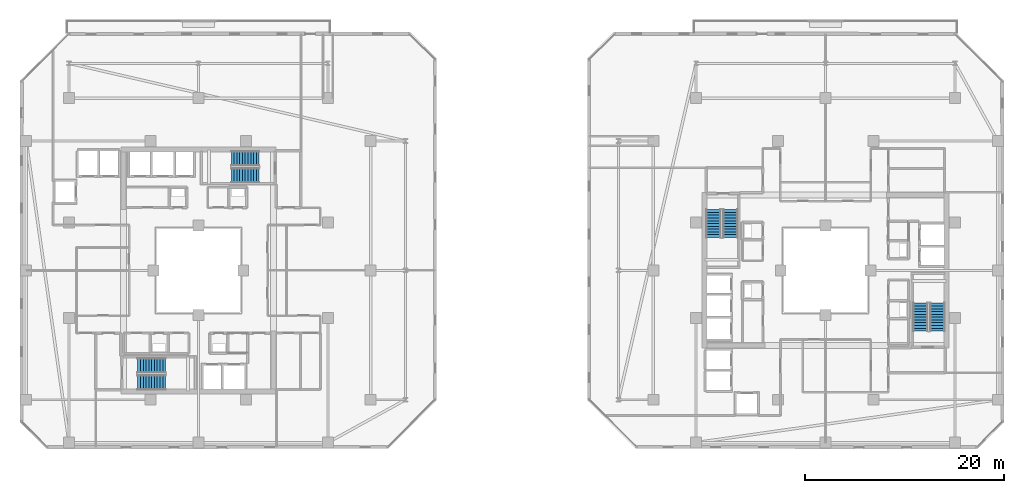
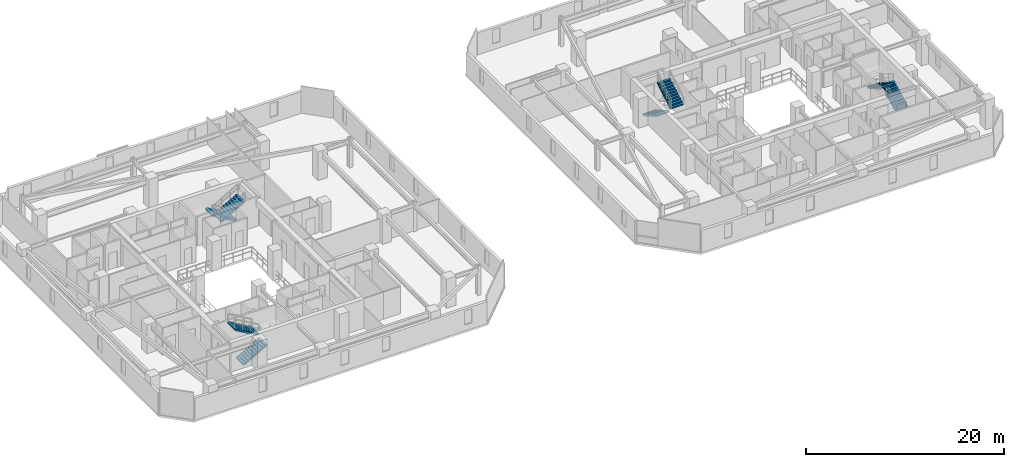
# One storey, part 27 of 33: 8 stair flights, 4 elements without a shape of their own.
"""IFC4 building model written with IfcOpenShell, lengths in metres."""

from ifc_helpers import new_model, si_unit, direction, frame, origin, place, context, subcontext, project, spatial, polyline, outline, extrude, material, type_object, element, aggregate, save


model = new_model("IFC4")

# Units and contexts
model_context = context("Model", 3, precision=1e-05, world=origin(), true_north=direction((0.0, 1.0)))
body_context = subcontext(model_context, "Body", "Model", "MODEL_VIEW")
ifc_project = project(units=[si_unit("LENGTHUNIT", "METRE"), si_unit("AREAUNIT", "SQUARE_METRE"), si_unit("VOLUMEUNIT", "CUBIC_METRE"), si_unit("PLANEANGLEUNIT", "RADIAN"), si_unit("MASSUNIT", "GRAM", prefix="KILO")], contexts=[model_context])

# Site, building, storey
site_placement = place(None, origin())
site = spatial("IfcSite", under=ifc_project, at=site_placement, CompositionType="ELEMENT")
building_placement = place(site_placement, origin())
building = spatial("IfcBuilding", under=site, at=building_placement, Name="Thornwick Lancets Civic Towers", CompositionType="ELEMENT")
storey_placement = place(building_placement, frame((0.0, 0.0, 192.89990234375)))
storey = spatial("IfcBuildingStorey", under=building, at=storey_placement, Name="L51", CompositionType="ELEMENT", Elevation=192.89990234375)

# Stair, stair flights
ifc_material = material(Name="Concrete C40/50", Category="concrete")
stair_type = type_object("IfcStairType", Name="STAIR_DL_3600", PredefinedType="HALF_TURN_STAIR", material=ifc_material)
stair_1_placement = place(storey_placement, origin())
stair_1 = element("IfcStair", 1, at=stair_1_placement, inside=storey, type_object=stair_type, Name="L51 Tower A South Exit Stair ST-A1", PredefinedType="HALF_TURN_STAIR")
stair_flight_type = type_object("IfcStairFlightType", Name="FLIGHT_3600", PredefinedType="STRAIGHT", material=ifc_material)
stair_flight_1_placement = place(storey_placement, frame((19.39990234375, 15.75, 0.0), z_axis=(0.0, 0.0, 1.0), x_axis=(1.0, 0.0, 0.0)))
stair_flight_1 = element("IfcStairFlight", 2, at=stair_flight_1_placement, type_object=stair_flight_type, Name="ST-A1 flight 1", NumberOfRisers=11, NumberOfTreads=10, PredefinedType="STRAIGHT", RiserHeight=0.163636364, TreadLength=0.28, context=body_context, shape_type="SweptSolid", body=[
    extrude(outline(polyline([(0.0, 0.0), (0.0, 0.16357421875), (0.280029296875, 0.16357421875), (0.280029296875, 0.327392578125), (0.56005859375, 0.327392578125), (0.56005859375, 0.490966796875), (0.840087890625, 0.490966796875), (0.840087890625, 0.654541015625), (1.1201171875, 0.654541015625), (1.1201171875, 0.818115234375), (1.39990234375, 0.818115234375), (1.39990234375, 0.98193359375), (1.679931640625, 0.98193359375), (1.679931640625, 1.1455078125), (1.9599609375, 1.1455078125), (1.9599609375, 1.30908203125), (2.239990234375, 1.30908203125), (2.239990234375, 1.47265625), (2.52001953125, 1.47265625), (2.52001953125, 1.636474609375), (2.800048828125, 1.636474609375), (2.800048828125, 1.800048828125), (2.800048828125, 1.462646484375), (0.297119140625, 0.0), (0.0, 0.0)])), frame((0.0, 0.75, 0.0), z_axis=(0.0, -1.0, 0.0), x_axis=(1.0, 0.0, 0.0)), (0.0, 0.0, 1.0), 1.5),
])
stair_flight_2_placement = place(storey_placement, frame((22.199951171875, 17.449951171875, 1.800048828125), z_axis=(0.0, 0.0, 1.0), x_axis=(-1.0, 0.0, 0.0)))
stair_flight_2 = element("IfcStairFlight", 3, at=stair_flight_2_placement, type_object=stair_flight_type, Name="ST-A1 flight 2", NumberOfRisers=11, NumberOfTreads=10, PredefinedType="STRAIGHT", RiserHeight=0.163636364, TreadLength=0.28, context=body_context, shape_type="SweptSolid", body=[
    extrude(outline(polyline([(0.0, 0.0), (0.0, 0.16357421875), (0.280029296875, 0.16357421875), (0.280029296875, 0.327392578125), (0.56005859375, 0.327392578125), (0.56005859375, 0.490966796875), (0.840087890625, 0.490966796875), (0.840087890625, 0.654541015625), (1.1201171875, 0.654541015625), (1.1201171875, 0.818115234375), (1.39990234375, 0.818115234375), (1.39990234375, 0.98193359375), (1.679931640625, 0.98193359375), (1.679931640625, 1.1455078125), (1.9599609375, 1.1455078125), (1.9599609375, 1.30908203125), (2.239990234375, 1.30908203125), (2.239990234375, 1.47265625), (2.52001953125, 1.47265625), (2.52001953125, 1.636474609375), (2.800048828125, 1.636474609375), (2.800048828125, 1.800048828125), (2.800048828125, 1.462646484375), (0.297119140625, 0.0), (0.0, 0.0)])), frame((0.0, 0.75, 0.0), z_axis=(0.0, -1.0, 0.0), x_axis=(1.0, 0.0, 0.0)), (0.0, 0.0, 1.0), 1.5),
])
aggregate(stair_1, [stair_flight_1, stair_flight_2])

stair_2_placement = place(storey_placement, origin())
stair_2 = element("IfcStair", 4, at=stair_2_placement, inside=storey, type_object=stair_type, Name="L51 Tower A North Exit Stair ST-A2", PredefinedType="HALF_TURN_STAIR")
stair_flight_3_placement = place(storey_placement, frame((31.60009765625, 38.25, 0.0), z_axis=(0.0, 0.0, 1.0), x_axis=(-1.0, 0.0, 0.0)))
stair_flight_3 = element("IfcStairFlight", 5, at=stair_flight_3_placement, type_object=stair_flight_type, Name="ST-A2 flight 1", NumberOfRisers=11, NumberOfTreads=10, PredefinedType="STRAIGHT", RiserHeight=0.163636364, TreadLength=0.28, context=body_context, shape_type="SweptSolid", body=[
    extrude(outline(polyline([(0.0, 0.0), (0.0, 0.16357421875), (0.280029296875, 0.16357421875), (0.280029296875, 0.327392578125), (0.56005859375, 0.327392578125), (0.56005859375, 0.490966796875), (0.840087890625, 0.490966796875), (0.840087890625, 0.654541015625), (1.1201171875, 0.654541015625), (1.1201171875, 0.818115234375), (1.39990234375, 0.818115234375), (1.39990234375, 0.98193359375), (1.679931640625, 0.98193359375), (1.679931640625, 1.1455078125), (1.9599609375, 1.1455078125), (1.9599609375, 1.30908203125), (2.239990234375, 1.30908203125), (2.239990234375, 1.47265625), (2.52001953125, 1.47265625), (2.52001953125, 1.636474609375), (2.800048828125, 1.636474609375), (2.800048828125, 1.800048828125), (2.800048828125, 1.462646484375), (0.297119140625, 0.0), (0.0, 0.0)])), frame((0.0, 0.75, 0.0), z_axis=(0.0, -1.0, 0.0), x_axis=(1.0, 0.0, 0.0)), (0.0, 0.0, 1.0), 1.5),
])
stair_flight_4_placement = place(storey_placement, frame((28.800048828125, 36.550048828125, 1.800048828125), z_axis=(0.0, 0.0, 1.0), x_axis=(1.0, 0.0, 0.0)))
stair_flight_4 = element("IfcStairFlight", 6, at=stair_flight_4_placement, type_object=stair_flight_type, Name="ST-A2 flight 2", NumberOfRisers=11, NumberOfTreads=10, PredefinedType="STRAIGHT", RiserHeight=0.163636364, TreadLength=0.28, context=body_context, shape_type="SweptSolid", body=[
    extrude(outline(polyline([(0.0, 0.0), (0.0, 0.16357421875), (0.280029296875, 0.16357421875), (0.280029296875, 0.327392578125), (0.56005859375, 0.327392578125), (0.56005859375, 0.490966796875), (0.840087890625, 0.490966796875), (0.840087890625, 0.654541015625), (1.1201171875, 0.654541015625), (1.1201171875, 0.818115234375), (1.39990234375, 0.818115234375), (1.39990234375, 0.98193359375), (1.679931640625, 0.98193359375), (1.679931640625, 1.1455078125), (1.9599609375, 1.1455078125), (1.9599609375, 1.30908203125), (2.239990234375, 1.30908203125), (2.239990234375, 1.47265625), (2.52001953125, 1.47265625), (2.52001953125, 1.636474609375), (2.800048828125, 1.636474609375), (2.800048828125, 1.800048828125), (2.800048828125, 1.462646484375), (0.297119140625, 0.0), (0.0, 0.0)])), frame((0.0, 0.75, 0.0), z_axis=(0.0, -1.0, 0.0), x_axis=(1.0, 0.0, 0.0)), (0.0, 0.0, 1.0), 1.5),
])
aggregate(stair_2, [stair_flight_3, stair_flight_4])

stair_3_placement = place(storey_placement, origin())
stair_3 = element("IfcStair", 7, at=stair_3_placement, inside=storey, type_object=stair_type, Name="L51 Tower B East Exit Stair ST-B1", PredefinedType="HALF_TURN_STAIR")
stair_flight_5_placement = place(storey_placement, frame((99.75, 20.89990234375, 0.0), z_axis=(0.0, 0.0, 1.0), x_axis=(0.0, 1.0, 0.0)))
stair_flight_5 = element("IfcStairFlight", 8, at=stair_flight_5_placement, type_object=stair_flight_type, Name="ST-B1 flight 1", NumberOfRisers=11, NumberOfTreads=10, PredefinedType="STRAIGHT", RiserHeight=0.163636364, TreadLength=0.28, context=body_context, shape_type="SweptSolid", body=[
    extrude(outline(polyline([(0.0, 0.0), (0.0, 0.16357421875), (0.280029296875, 0.16357421875), (0.280029296875, 0.327392578125), (0.56005859375, 0.327392578125), (0.56005859375, 0.490966796875), (0.840087890625, 0.490966796875), (0.840087890625, 0.654541015625), (1.1201171875, 0.654541015625), (1.1201171875, 0.818115234375), (1.39990234375, 0.818115234375), (1.39990234375, 0.98193359375), (1.679931640625, 0.98193359375), (1.679931640625, 1.1455078125), (1.9599609375, 1.1455078125), (1.9599609375, 1.30908203125), (2.239990234375, 1.30908203125), (2.239990234375, 1.47265625), (2.52001953125, 1.47265625), (2.52001953125, 1.636474609375), (2.800048828125, 1.636474609375), (2.800048828125, 1.800048828125), (2.800048828125, 1.462646484375), (0.297119140625, 0.0), (0.0, 0.0)])), frame((0.0, 0.75, 0.0), z_axis=(0.0, -1.0, 0.0), x_axis=(1.0, 0.0, 0.0)), (0.0, 0.0, 1.0), 1.5),
])
stair_flight_6_placement = place(storey_placement, frame((98.050048828125, 23.699951171875, 1.800048828125), z_axis=(0.0, 0.0, 1.0), x_axis=(0.0, -1.0, 0.0)))
stair_flight_6 = element("IfcStairFlight", 9, at=stair_flight_6_placement, type_object=stair_flight_type, Name="ST-B1 flight 2", NumberOfRisers=11, NumberOfTreads=10, PredefinedType="STRAIGHT", RiserHeight=0.163636364, TreadLength=0.28, context=body_context, shape_type="SweptSolid", body=[
    extrude(outline(polyline([(0.0, 0.0), (0.0, 0.16357421875), (0.280029296875, 0.16357421875), (0.280029296875, 0.327392578125), (0.56005859375, 0.327392578125), (0.56005859375, 0.490966796875), (0.840087890625, 0.490966796875), (0.840087890625, 0.654541015625), (1.1201171875, 0.654541015625), (1.1201171875, 0.818115234375), (1.39990234375, 0.818115234375), (1.39990234375, 0.98193359375), (1.679931640625, 0.98193359375), (1.679931640625, 1.1455078125), (1.9599609375, 1.1455078125), (1.9599609375, 1.30908203125), (2.239990234375, 1.30908203125), (2.239990234375, 1.47265625), (2.52001953125, 1.47265625), (2.52001953125, 1.636474609375), (2.800048828125, 1.636474609375), (2.800048828125, 1.800048828125), (2.800048828125, 1.462646484375), (0.297119140625, 0.0), (0.0, 0.0)])), frame((0.0, 0.75, 0.0), z_axis=(0.0, -1.0, 0.0), x_axis=(1.0, 0.0, 0.0)), (0.0, 0.0, 1.0), 1.5),
])
aggregate(stair_3, [stair_flight_5, stair_flight_6])

stair_4_placement = place(storey_placement, origin())
stair_4 = element("IfcStair", 10, at=stair_4_placement, inside=storey, type_object=stair_type, Name="L51 Tower B West Exit Stair ST-B2", PredefinedType="HALF_TURN_STAIR")
stair_flight_7_placement = place(storey_placement, frame((77.25, 33.10009765625, 0.0), z_axis=(0.0, 0.0, 1.0), x_axis=(0.0, -1.0, 0.0)))
stair_flight_7 = element("IfcStairFlight", 11, at=stair_flight_7_placement, type_object=stair_flight_type, Name="ST-B2 flight 1", NumberOfRisers=11, NumberOfTreads=10, PredefinedType="STRAIGHT", RiserHeight=0.163636364, TreadLength=0.28, context=body_context, shape_type="SweptSolid", body=[
    extrude(outline(polyline([(0.0, 0.0), (0.0, 0.16357421875), (0.280029296875, 0.16357421875), (0.280029296875, 0.327392578125), (0.56005859375, 0.327392578125), (0.56005859375, 0.490966796875), (0.840087890625, 0.490966796875), (0.840087890625, 0.654541015625), (1.1201171875, 0.654541015625), (1.1201171875, 0.818115234375), (1.39990234375, 0.818115234375), (1.39990234375, 0.98193359375), (1.679931640625, 0.98193359375), (1.679931640625, 1.1455078125), (1.9599609375, 1.1455078125), (1.9599609375, 1.30908203125), (2.239990234375, 1.30908203125), (2.239990234375, 1.47265625), (2.52001953125, 1.47265625), (2.52001953125, 1.636474609375), (2.800048828125, 1.636474609375), (2.800048828125, 1.800048828125), (2.800048828125, 1.462646484375), (0.297119140625, 0.0), (0.0, 0.0)])), frame((0.0, 0.75, 0.0), z_axis=(0.0, -1.0, 0.0), x_axis=(1.0, 0.0, 0.0)), (0.0, 0.0, 1.0), 1.5),
])
stair_flight_8_placement = place(storey_placement, frame((78.949951171875, 30.300048828125, 1.800048828125), z_axis=(0.0, 0.0, 1.0), x_axis=(0.0, 1.0, 0.0)))
stair_flight_8 = element("IfcStairFlight", 12, at=stair_flight_8_placement, type_object=stair_flight_type, Name="ST-B2 flight 2", NumberOfRisers=11, NumberOfTreads=10, PredefinedType="STRAIGHT", RiserHeight=0.163636364, TreadLength=0.28, context=body_context, shape_type="SweptSolid", body=[
    extrude(outline(polyline([(0.0, 0.0), (0.0, 0.16357421875), (0.280029296875, 0.16357421875), (0.280029296875, 0.327392578125), (0.56005859375, 0.327392578125), (0.56005859375, 0.490966796875), (0.840087890625, 0.490966796875), (0.840087890625, 0.654541015625), (1.1201171875, 0.654541015625), (1.1201171875, 0.818115234375), (1.39990234375, 0.818115234375), (1.39990234375, 0.98193359375), (1.679931640625, 0.98193359375), (1.679931640625, 1.1455078125), (1.9599609375, 1.1455078125), (1.9599609375, 1.30908203125), (2.239990234375, 1.30908203125), (2.239990234375, 1.47265625), (2.52001953125, 1.47265625), (2.52001953125, 1.636474609375), (2.800048828125, 1.636474609375), (2.800048828125, 1.800048828125), (2.800048828125, 1.462646484375), (0.297119140625, 0.0), (0.0, 0.0)])), frame((0.0, 0.75, 0.0), z_axis=(0.0, -1.0, 0.0), x_axis=(1.0, 0.0, 0.0)), (0.0, 0.0, 1.0), 1.5),
])
aggregate(stair_4, [stair_flight_7, stair_flight_8])

save(model, "model.ifc")
